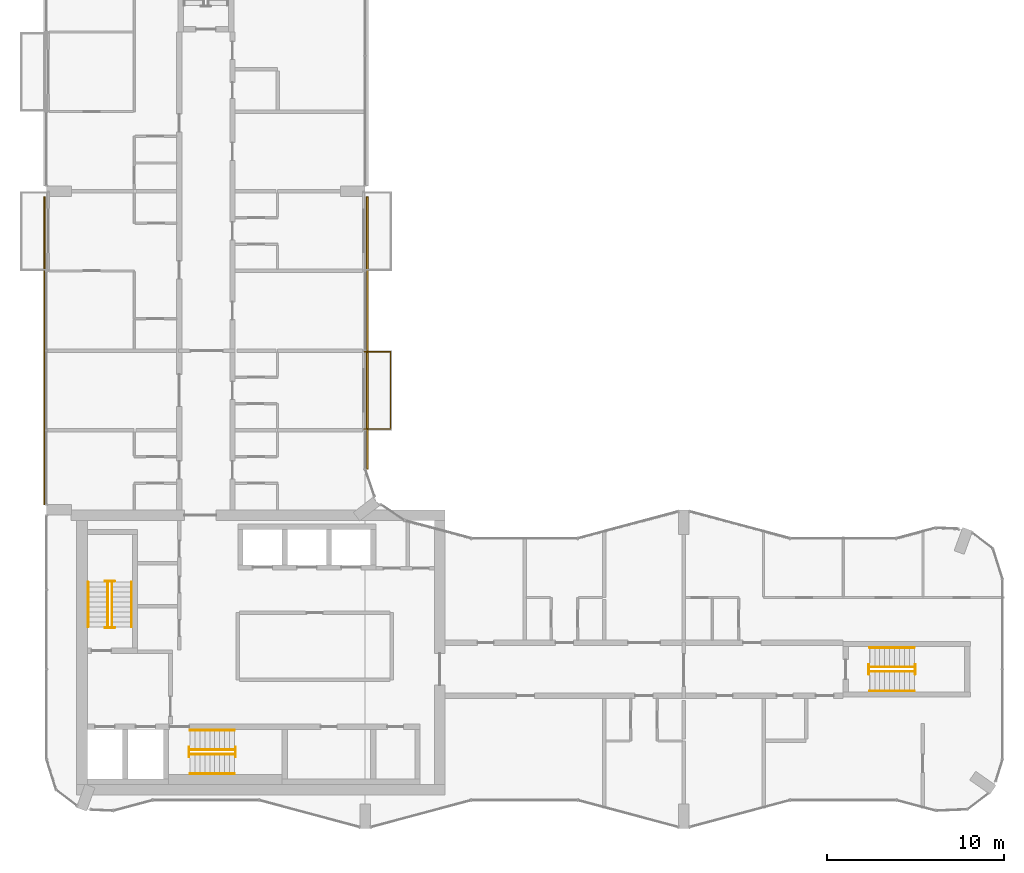
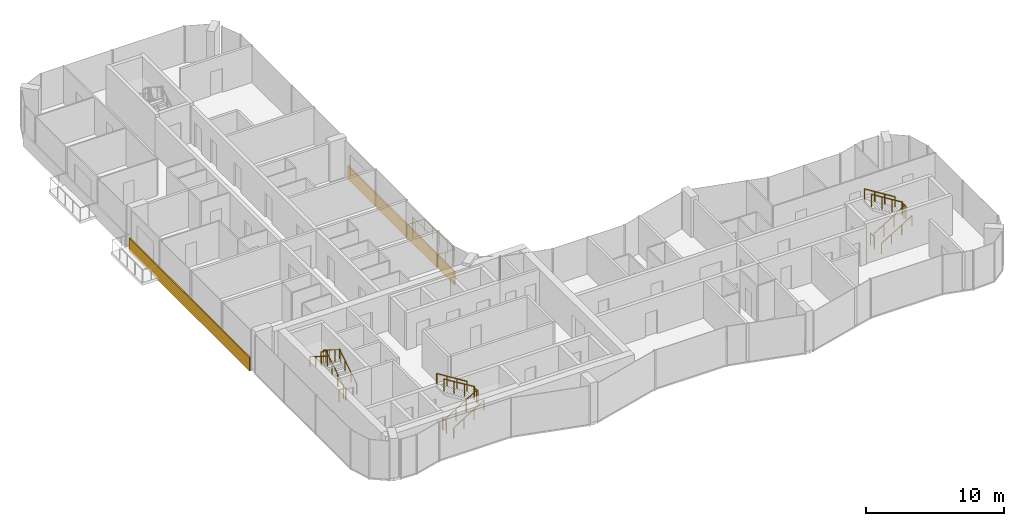
# One storey, part 14 of 15: 19 railings, 2 coverings.
"""IFC4 building model written with IfcOpenShell, lengths in metres."""

from ifc_helpers import new_model, si_unit, direction, frame, origin, origin_2d, place, context, subcontext, project, spatial, rectangle, circle, extrude, material, layer, layer_set, type_object, element, save


model = new_model("IFC4")

# Units and contexts
model_context = context("Model", 3, precision=1e-05, world=origin(), true_north=direction((0.0, 1.0)))
body_context = subcontext(model_context, "Body", "Model", "MODEL_VIEW")
ifc_project = project(units=[si_unit("LENGTHUNIT", "METRE"), si_unit("AREAUNIT", "SQUARE_METRE"), si_unit("VOLUMEUNIT", "CUBIC_METRE"), si_unit("PLANEANGLEUNIT", "RADIAN"), si_unit("MASSUNIT", "GRAM", prefix="KILO")], contexts=[model_context])

# Site, building, storey
site_placement = place(None, origin())
site = spatial("IfcSite", under=ifc_project, at=site_placement, CompositionType="ELEMENT")
building_placement = place(site_placement, origin())
building = spatial("IfcBuilding", under=site, at=building_placement, Name="Plateau Cross Towers", CompositionType="ELEMENT")
storey_placement = place(building_placement, frame((0.0, 0.0, 170.89990234375)))
storey = spatial("IfcBuildingStorey", under=building, at=storey_placement, Name="L44", CompositionType="ELEMENT", Elevation=170.89990234375)

# Railings
ifc_material_1 = material(Name="Stainless steel and toughened glass", Category="steel")
railing_type_1 = type_object("IfcRailingType", Name="Glass balustrade guard 1100", PredefinedType="GUARDRAIL", material=ifc_material_1)
railing_1_placement = place(storey_placement, frame((17.949951171875, 26.929931640625, 0.0)))
element("IfcRailing", 1, at=railing_1_placement, inside=storey, type_object=railing_type_1, Name="Guard guard1", PredefinedType="GUARDRAIL", context=body_context, shape_type="SweptSolid", body=[
    extrude(circle(Radius=0.02392578125, at=origin_2d()), frame((0.0, 0.0, 1.076171875), z_axis=(1.0, 0.0, 0.0), x_axis=(0.0, 1.0, 0.0)), (0.0, 0.0, 1.0), 1.47998046875),
    extrude(circle(Radius=0.02392578125, at=origin_2d()), frame((1.47998046875, 0.0, 1.076171875), z_axis=(0.0, -1.0, 0.0), x_axis=(1.0, 0.0, 0.0)), (0.0, 0.0, 1.0), 4.35986328125),
    extrude(circle(Radius=0.02392578125, at=origin_2d()), frame((1.47998046875, -4.35986328125, 1.076171875), z_axis=(-1.0, 0.0, 0.0), x_axis=(0.0, -1.0, 0.0)), (0.0, 0.0, 1.0), 1.47998046875),
    extrude(circle(Radius=0.02099609375, at=origin_2d()), origin(), (0.0, 0.0, 1.0), 1.052001953125),
    extrude(circle(Radius=0.02099609375, at=origin_2d()), frame((0.739990234375, 0.0, 0.0)), (0.0, 0.0, 1.0), 1.052001953125),
    extrude(circle(Radius=0.02099609375, at=origin_2d()), frame((1.47998046875, 0.0, 0.0)), (0.0, 0.0, 1.0), 1.052001953125),
    extrude(circle(Radius=0.02099609375, at=origin_2d()), frame((1.47998046875, -1.08984375, 0.0)), (0.0, 0.0, 1.0), 1.052001953125),
    extrude(circle(Radius=0.02099609375, at=origin_2d()), frame((1.47998046875, -2.179931640625, 0.0)), (0.0, 0.0, 1.0), 1.052001953125),
    extrude(circle(Radius=0.02099609375, at=origin_2d()), frame((1.47998046875, -3.27001953125, 0.0)), (0.0, 0.0, 1.0), 1.052001953125),
    extrude(circle(Radius=0.02099609375, at=origin_2d()), frame((1.47998046875, -4.35986328125, 0.0)), (0.0, 0.0, 1.0), 1.052001953125),
    extrude(circle(Radius=0.02099609375, at=origin_2d()), frame((0.739990234375, -4.35986328125, 0.0)), (0.0, 0.0, 1.0), 1.052001953125),
    extrude(circle(Radius=0.02099609375, at=origin_2d()), frame((0.0, -4.35986328125, 0.0)), (0.0, 0.0, 1.0), 1.052001953125),
])
railing_type_2 = type_object("IfcRailingType", Name="RL-GUARD-1100", PredefinedType="GUARDRAIL", material=ifc_material_1)
railing_2_placement = place(storey_placement, frame((3.699951171875, 11.39990234375, 0.175048828125)))
element("IfcRailing", 2, at=railing_2_placement, inside=storey, type_object=railing_type_2, Name="L44 ST-1 stair guard 1", PredefinedType="GUARDRAIL", context=body_context, shape_type="SweptSolid", body=[
    extrude(circle(Radius=0.02392578125, at=origin_2d()), frame((0.0, 0.0, 1.076171875), z_axis=(0.0, 0.848007534815, 0.529984170421), x_axis=(-1.0, 0.0, 0.0)), (0.0, 0.0, 1.0), 2.9716796875),
    extrude(circle(Radius=0.02099609375, at=origin_2d()), origin(), (0.0, 0.0, 1.0), 1.052001953125),
    extrude(circle(Radius=0.02099609375, at=origin_2d()), frame((0.0, 0.840087890625, 0.52490234375)), (0.0, 0.0, 1.0), 1.052001953125),
    extrude(circle(Radius=0.02099609375, at=origin_2d()), frame((0.0, 1.679931640625, 1.050048828125)), (0.0, 0.0, 1.0), 1.052001953125),
    extrude(circle(Radius=0.02099609375, at=origin_2d()), frame((0.0, 2.52001953125, 1.574951171875)), (0.0, 0.0, 1.0), 1.052001953125),
])
railing_3_placement = place(storey_placement, frame((3.85009765625, 13.969970703125, 1.75)))
element("IfcRailing", 3, at=railing_3_placement, inside=storey, type_object=railing_type_2, Name="L44 ST-1 stair guard 2", PredefinedType="GUARDRAIL", context=body_context, shape_type="SweptSolid", body=[
    extrude(circle(Radius=0.02392578125, at=origin_2d()), frame((0.0, 0.0, 1.076171875), z_axis=(-1.0, 0.0, 0.0), x_axis=(0.0, -1.0, 0.0)), (0.0, 0.0, 1.0), 0.550048828125),
    extrude(circle(Radius=0.02099609375, at=origin_2d()), origin(), (0.0, 0.0, 1.0), 1.052001953125),
    extrude(circle(Radius=0.02099609375, at=origin_2d()), frame((-0.550048828125, 0.0, 0.0)), (0.0, 0.0, 1.0), 1.052001953125),
])
railing_4_placement = place(storey_placement, frame((3.449951171875, 13.919921875, 1.925048828125)))
element("IfcRailing", 4, at=railing_4_placement, inside=storey, type_object=railing_type_2, Name="L44 ST-1 stair guard 3", PredefinedType="GUARDRAIL", context=body_context, shape_type="SweptSolid", body=[
    extrude(circle(Radius=0.02392578125, at=origin_2d()), frame((0.0, 0.0, 1.076171875), z_axis=(0.0, -0.852616386126, 0.522537365276), x_axis=(1.0, 0.0, 0.0)), (0.0, 0.0, 1.0), 3.01416015625),
    extrude(circle(Radius=0.02099609375, at=origin_2d()), origin(), (0.0, 0.0, 1.0), 1.052001953125),
    extrude(circle(Radius=0.02099609375, at=origin_2d()), frame((0.0, -0.856689453125, 0.52490234375)), (0.0, 0.0, 1.0), 1.052001953125),
    extrude(circle(Radius=0.02099609375, at=origin_2d()), frame((0.0, -1.713134765625, 1.050048828125)), (0.0, 0.0, 1.0), 1.052001953125),
    extrude(circle(Radius=0.02099609375, at=origin_2d()), frame((0.0, -2.56982421875, 1.574951171875)), (0.0, 0.0, 1.0), 1.052001953125),
])
railing_5_placement = place(storey_placement, frame((3.85009765625, 11.35009765625, 0.0)))
element("IfcRailing", 5, at=railing_5_placement, inside=storey, type_object=railing_type_2, Name="L44 ST-1 stair guard 4", PredefinedType="GUARDRAIL", context=body_context, shape_type="SweptSolid", body=[
    extrude(circle(Radius=0.02392578125, at=origin_2d()), frame((0.0, 0.0, 1.076171875), z_axis=(-1.0, 0.0, 0.0), x_axis=(0.0, -1.0, 0.0)), (0.0, 0.0, 1.0), 0.550048828125),
    extrude(circle(Radius=0.02099609375, at=origin_2d()), origin(), (0.0, 0.0, 1.0), 1.052001953125),
    extrude(circle(Radius=0.02099609375, at=origin_2d()), frame((-0.550048828125, 0.0, 0.0)), (0.0, 0.0, 1.0), 1.052001953125),
])
railing_6_placement = place(storey_placement, frame((8.10009765625, 4.199951171875, 0.175048828125)))
element("IfcRailing", 6, at=railing_6_placement, inside=storey, type_object=railing_type_2, Name="L44 ST-2 stair guard 1", PredefinedType="GUARDRAIL", context=body_context, shape_type="SweptSolid", body=[
    extrude(circle(Radius=0.02392578125, at=origin_2d()), frame((0.0, 0.0, 1.076171875), z_axis=(0.848007534815, 0.0, 0.529984170421), x_axis=(0.0, 1.0, 0.0)), (0.0, 0.0, 1.0), 2.9716796875),
    extrude(circle(Radius=0.02099609375, at=origin_2d()), origin(), (0.0, 0.0, 1.0), 1.052001953125),
    extrude(circle(Radius=0.02099609375, at=origin_2d()), frame((0.840087890625, 0.0, 0.52490234375)), (0.0, 0.0, 1.0), 1.052001953125),
    extrude(circle(Radius=0.02099609375, at=origin_2d()), frame((1.679931640625, 0.0, 1.050048828125)), (0.0, 0.0, 1.0), 1.052001953125),
    extrude(circle(Radius=0.02099609375, at=origin_2d()), frame((2.52001953125, 0.0, 1.574951171875)), (0.0, 0.0, 1.0), 1.052001953125),
])
railing_7_placement = place(storey_placement, frame((10.669921875, 4.050048828125, 1.75)))
element("IfcRailing", 7, at=railing_7_placement, inside=storey, type_object=railing_type_2, Name="L44 ST-2 stair guard 2", PredefinedType="GUARDRAIL", context=body_context, shape_type="SweptSolid", body=[
    extrude(circle(Radius=0.02392578125, at=origin_2d()), frame((0.0, 0.0, 1.076171875), z_axis=(0.0, 1.0, 0.0), x_axis=(-1.0, 0.0, 0.0)), (0.0, 0.0, 1.0), 0.550048828125),
    extrude(circle(Radius=0.02099609375, at=origin_2d()), origin(), (0.0, 0.0, 1.0), 1.052001953125),
    extrude(circle(Radius=0.02099609375, at=origin_2d()), frame((0.0, 0.550048828125, 0.0)), (0.0, 0.0, 1.0), 1.052001953125),
])
railing_8_placement = place(storey_placement, frame((10.6201171875, 4.449951171875, 1.925048828125)))
element("IfcRailing", 8, at=railing_8_placement, inside=storey, type_object=railing_type_2, Name="L44 ST-2 stair guard 3", PredefinedType="GUARDRAIL", context=body_context, shape_type="SweptSolid", body=[
    extrude(circle(Radius=0.02392578125, at=origin_2d()), frame((0.0, 0.0, 1.076171875), z_axis=(-0.852638500773, 0.0, 0.522501279423), x_axis=(0.0, -1.0, 0.0)), (0.0, 0.0, 1.0), 3.01416015625),
    extrude(circle(Radius=0.02099609375, at=origin_2d()), origin(), (0.0, 0.0, 1.0), 1.052001953125),
    extrude(circle(Radius=0.02099609375, at=origin_2d()), frame((-0.856689453125, 0.0, 0.52490234375)), (0.0, 0.0, 1.0), 1.052001953125),
    extrude(circle(Radius=0.02099609375, at=origin_2d()), frame((-1.71337890625, 0.0, 1.050048828125)), (0.0, 0.0, 1.0), 1.052001953125),
    extrude(circle(Radius=0.02099609375, at=origin_2d()), frame((-2.570068359375, 0.0, 1.574951171875)), (0.0, 0.0, 1.0), 1.052001953125),
])
railing_9_placement = place(storey_placement, frame((8.050048828125, 4.050048828125, 0.0)))
element("IfcRailing", 9, at=railing_9_placement, inside=storey, type_object=railing_type_2, Name="L44 ST-2 stair guard 4", PredefinedType="GUARDRAIL", context=body_context, shape_type="SweptSolid", body=[
    extrude(circle(Radius=0.02392578125, at=origin_2d()), frame((0.0, 0.0, 1.076171875), z_axis=(0.0, 1.0, 0.0), x_axis=(-1.0, 0.0, 0.0)), (0.0, 0.0, 1.0), 0.550048828125),
    extrude(circle(Radius=0.02099609375, at=origin_2d()), origin(), (0.0, 0.0, 1.0), 1.052001953125),
    extrude(circle(Radius=0.02099609375, at=origin_2d()), frame((0.0, 0.550048828125, 0.0)), (0.0, 0.0, 1.0), 1.052001953125),
])
railing_10_placement = place(storey_placement, frame((46.5, 8.875, 0.175048828125)))
element("IfcRailing", 10, at=railing_10_placement, inside=storey, type_object=railing_type_2, Name="L44 ES-E stair guard 1", PredefinedType="GUARDRAIL", context=body_context, shape_type="SweptSolid", body=[
    extrude(circle(Radius=0.02392578125, at=origin_2d()), frame((0.0, 0.0, 1.076171875), z_axis=(0.848007534815, 0.0, 0.529984170421), x_axis=(0.0, 1.0, 0.0)), (0.0, 0.0, 1.0), 2.9716796875),
    extrude(circle(Radius=0.02099609375, at=origin_2d()), origin(), (0.0, 0.0, 1.0), 1.052001953125),
    extrude(circle(Radius=0.02099609375, at=origin_2d()), frame((0.840087890625, 0.0, 0.52490234375)), (0.0, 0.0, 1.0), 1.052001953125),
    extrude(circle(Radius=0.02099609375, at=origin_2d()), frame((1.679931640625, 0.0, 1.050048828125)), (0.0, 0.0, 1.0), 1.052001953125),
    extrude(circle(Radius=0.02099609375, at=origin_2d()), frame((2.52001953125, 0.0, 1.574951171875)), (0.0, 0.0, 1.0), 1.052001953125),
])
railing_11_placement = place(storey_placement, frame((49.070068359375, 8.72509765625, 1.75)))
element("IfcRailing", 11, at=railing_11_placement, inside=storey, type_object=railing_type_2, Name="L44 ES-E stair guard 2", PredefinedType="GUARDRAIL", context=body_context, shape_type="SweptSolid", body=[
    extrude(circle(Radius=0.02392578125, at=origin_2d()), frame((0.0, 0.0, 1.076171875), z_axis=(0.0, 1.0, 0.0), x_axis=(-1.0, 0.0, 0.0)), (0.0, 0.0, 1.0), 0.5498046875),
    extrude(circle(Radius=0.02099609375, at=origin_2d()), origin(), (0.0, 0.0, 1.0), 1.052001953125),
    extrude(circle(Radius=0.02099609375, at=origin_2d()), frame((0.0, 0.5498046875, 0.0)), (0.0, 0.0, 1.0), 1.052001953125),
])
railing_12_placement = place(storey_placement, frame((49.02001953125, 9.125, 1.925048828125)))
element("IfcRailing", 12, at=railing_12_placement, inside=storey, type_object=railing_type_2, Name="L44 ES-E stair guard 3", PredefinedType="GUARDRAIL", context=body_context, shape_type="SweptSolid", body=[
    extrude(circle(Radius=0.02392578125, at=origin_2d()), frame((0.0, 0.0, 1.076171875), z_axis=(-0.852638500773, 0.0, 0.522501279423), x_axis=(0.0, -1.0, 0.0)), (0.0, 0.0, 1.0), 3.01416015625),
    extrude(circle(Radius=0.02099609375, at=origin_2d()), origin(), (0.0, 0.0, 1.0), 1.052001953125),
    extrude(circle(Radius=0.02099609375, at=origin_2d()), frame((-0.856689453125, 0.0, 0.52490234375)), (0.0, 0.0, 1.0), 1.052001953125),
    extrude(circle(Radius=0.02099609375, at=origin_2d()), frame((-1.71337890625, 0.0, 1.050048828125)), (0.0, 0.0, 1.0), 1.052001953125),
    extrude(circle(Radius=0.02099609375, at=origin_2d()), frame((-2.570068359375, 0.0, 1.574951171875)), (0.0, 0.0, 1.0), 1.052001953125),
])
railing_13_placement = place(storey_placement, frame((46.449951171875, 8.72509765625, 0.0)))
element("IfcRailing", 13, at=railing_13_placement, inside=storey, type_object=railing_type_2, Name="L44 ES-E stair guard 4", PredefinedType="GUARDRAIL", context=body_context, shape_type="SweptSolid", body=[
    extrude(circle(Radius=0.02392578125, at=origin_2d()), frame((0.0, 0.0, 1.076171875), z_axis=(0.0, 1.0, 0.0), x_axis=(-1.0, 0.0, 0.0)), (0.0, 0.0, 1.0), 0.5498046875),
    extrude(circle(Radius=0.02099609375, at=origin_2d()), origin(), (0.0, 0.0, 1.0), 1.052001953125),
    extrude(circle(Radius=0.02099609375, at=origin_2d()), frame((0.0, 0.5498046875, 0.0)), (0.0, 0.0, 1.0), 1.052001953125),
])
ifc_material_2 = material(Name="Black anodised aluminium", Category="aluminium")
railing_type_3 = type_object("IfcRailingType", Name="RL-HANDRAIL-900", PredefinedType="HANDRAIL", material=ifc_material_2)
railing_14_placement = place(storey_placement, frame((4.800048828125, 11.39990234375, 0.175048828125)))
element("IfcRailing", 14, at=railing_14_placement, inside=storey, type_object=railing_type_3, Name="L44 ST-1 stair handrail 1", PredefinedType="HANDRAIL", context=body_context, shape_type="SweptSolid", body=[
    extrude(circle(Radius=0.02392578125, at=origin_2d()), frame((0.0, 0.0, 0.8759765625), z_axis=(0.0, 0.848007534815, 0.529984170421), x_axis=(-1.0, 0.0, 0.0)), (0.0, 0.0, 1.0), 2.9716796875),
    extrude(circle(Radius=0.02099609375, at=origin_2d()), origin(), (0.0, 0.0, 1.0), 0.851806640625),
    extrude(circle(Radius=0.02099609375, at=origin_2d()), frame((0.0, 0.840087890625, 0.52490234375)), (0.0, 0.0, 1.0), 0.851806640625),
    extrude(circle(Radius=0.02099609375, at=origin_2d()), frame((0.0, 1.679931640625, 1.050048828125)), (0.0, 0.0, 1.0), 0.851806640625),
    extrude(circle(Radius=0.02099609375, at=origin_2d()), frame((0.0, 2.52001953125, 1.574951171875)), (0.0, 0.0, 1.0), 0.851806640625),
])
railing_15_placement = place(storey_placement, frame((2.35009765625, 13.919921875, 1.925048828125)))
element("IfcRailing", 15, at=railing_15_placement, inside=storey, type_object=railing_type_3, Name="L44 ST-1 stair handrail 2", PredefinedType="HANDRAIL", context=body_context, shape_type="SweptSolid", body=[
    extrude(circle(Radius=0.02392578125, at=origin_2d()), frame((0.0, 0.0, 0.8759765625), z_axis=(0.0, -0.848007534815, 0.529984170421), x_axis=(1.0, 0.0, 0.0)), (0.0, 0.0, 1.0), 2.9716796875),
    extrude(circle(Radius=0.02099609375, at=origin_2d()), origin(), (0.0, 0.0, 1.0), 0.851806640625),
    extrude(circle(Radius=0.02099609375, at=origin_2d()), frame((0.0, -0.840087890625, 0.52490234375)), (0.0, 0.0, 1.0), 0.851806640625),
    extrude(circle(Radius=0.02099609375, at=origin_2d()), frame((0.0, -1.679931640625, 1.050048828125)), (0.0, 0.0, 1.0), 0.851806640625),
    extrude(circle(Radius=0.02099609375, at=origin_2d()), frame((0.0, -2.52001953125, 1.574951171875)), (0.0, 0.0, 1.0), 0.851806640625),
])
railing_16_placement = place(storey_placement, frame((8.10009765625, 3.10009765625, 0.175048828125)))
element("IfcRailing", 16, at=railing_16_placement, inside=storey, type_object=railing_type_3, Name="L44 ST-2 stair handrail 1", PredefinedType="HANDRAIL", context=body_context, shape_type="SweptSolid", body=[
    extrude(circle(Radius=0.02392578125, at=origin_2d()), frame((0.0, 0.0, 0.8759765625), z_axis=(0.848007534815, 0.0, 0.529984170421), x_axis=(0.0, 1.0, 0.0)), (0.0, 0.0, 1.0), 2.9716796875),
    extrude(circle(Radius=0.02099609375, at=origin_2d()), origin(), (0.0, 0.0, 1.0), 0.851806640625),
    extrude(circle(Radius=0.02099609375, at=origin_2d()), frame((0.840087890625, 0.0, 0.52490234375)), (0.0, 0.0, 1.0), 0.851806640625),
    extrude(circle(Radius=0.02099609375, at=origin_2d()), frame((1.679931640625, 0.0, 1.050048828125)), (0.0, 0.0, 1.0), 0.851806640625),
    extrude(circle(Radius=0.02099609375, at=origin_2d()), frame((2.52001953125, 0.0, 1.574951171875)), (0.0, 0.0, 1.0), 0.851806640625),
])
railing_17_placement = place(storey_placement, frame((10.6201171875, 5.550048828125, 1.925048828125)))
element("IfcRailing", 17, at=railing_17_placement, inside=storey, type_object=railing_type_3, Name="L44 ST-2 stair handrail 2", PredefinedType="HANDRAIL", context=body_context, shape_type="SweptSolid", body=[
    extrude(circle(Radius=0.02392578125, at=origin_2d()), frame((0.0, 0.0, 0.8759765625), z_axis=(-0.848007534815, 0.0, 0.529984170421), x_axis=(0.0, -1.0, 0.0)), (0.0, 0.0, 1.0), 2.9716796875),
    extrude(circle(Radius=0.02099609375, at=origin_2d()), origin(), (0.0, 0.0, 1.0), 0.851806640625),
    extrude(circle(Radius=0.02099609375, at=origin_2d()), frame((-0.840087890625, 0.0, 0.52490234375)), (0.0, 0.0, 1.0), 0.851806640625),
    extrude(circle(Radius=0.02099609375, at=origin_2d()), frame((-1.679931640625, 0.0, 1.050048828125)), (0.0, 0.0, 1.0), 0.851806640625),
    extrude(circle(Radius=0.02099609375, at=origin_2d()), frame((-2.52001953125, 0.0, 1.574951171875)), (0.0, 0.0, 1.0), 0.851806640625),
])
railing_18_placement = place(storey_placement, frame((46.5, 7.77490234375, 0.175048828125)))
element("IfcRailing", 18, at=railing_18_placement, inside=storey, type_object=railing_type_3, Name="L44 ES-E stair handrail 1", PredefinedType="HANDRAIL", context=body_context, shape_type="SweptSolid", body=[
    extrude(circle(Radius=0.02392578125, at=origin_2d()), frame((0.0, 0.0, 0.8759765625), z_axis=(0.848007534815, 0.0, 0.529984170421), x_axis=(0.0, 1.0, 0.0)), (0.0, 0.0, 1.0), 2.9716796875),
    extrude(circle(Radius=0.02099609375, at=origin_2d()), origin(), (0.0, 0.0, 1.0), 0.851806640625),
    extrude(circle(Radius=0.02099609375, at=origin_2d()), frame((0.840087890625, 0.0, 0.52490234375)), (0.0, 0.0, 1.0), 0.851806640625),
    extrude(circle(Radius=0.02099609375, at=origin_2d()), frame((1.679931640625, 0.0, 1.050048828125)), (0.0, 0.0, 1.0), 0.851806640625),
    extrude(circle(Radius=0.02099609375, at=origin_2d()), frame((2.52001953125, 0.0, 1.574951171875)), (0.0, 0.0, 1.0), 0.851806640625),
])
railing_19_placement = place(storey_placement, frame((49.02001953125, 10.22509765625, 1.925048828125)))
element("IfcRailing", 19, at=railing_19_placement, inside=storey, type_object=railing_type_3, Name="L44 ES-E stair handrail 2", PredefinedType="HANDRAIL", context=body_context, shape_type="SweptSolid", body=[
    extrude(circle(Radius=0.02392578125, at=origin_2d()), frame((0.0, 0.0, 0.8759765625), z_axis=(-0.848007534815, 0.0, 0.529984170421), x_axis=(0.0, -1.0, 0.0)), (0.0, 0.0, 1.0), 2.9716796875),
    extrude(circle(Radius=0.02099609375, at=origin_2d()), origin(), (0.0, 0.0, 1.0), 0.851806640625),
    extrude(circle(Radius=0.02099609375, at=origin_2d()), frame((-0.840087890625, 0.0, 0.52490234375)), (0.0, 0.0, 1.0), 0.851806640625),
    extrude(circle(Radius=0.02099609375, at=origin_2d()), frame((-1.679931640625, 0.0, 1.050048828125)), (0.0, 0.0, 1.0), 0.851806640625),
    extrude(circle(Radius=0.02099609375, at=origin_2d()), frame((-2.52001953125, 0.0, 1.574951171875)), (0.0, 0.0, 1.0), 0.851806640625),
])

# Coverings
ifc_material_3 = material(Name="Precast concrete cladding C40/50", Category="concrete")
ifc_layer = layer(ifc_material_3, 0.10009765625)
ifc_layer_set = layer_set([ifc_layer], Name="Precast concrete cladding C40/50")
covering_type = type_object("IfcCoveringType", Name="Spandrel band cladding 100x1200", PredefinedType="CLADDING", material=ifc_layer_set)
covering_1_placement = place(storey_placement, frame((18.1201171875, 28.001220703125, -0.25), z_axis=(0.0, 0.0, 1.0), x_axis=(0.0, 1.0, 0.0)))
element("IfcCovering", 20, at=covering_1_placement, inside=storey, type_object=covering_type, Name="Spandrel band", PredefinedType="CLADDING", context=body_context, shape_type="SweptSolid", body=[
    extrude(rectangle(XDim=15.397705078125, YDim=0.10009765625, at=origin_2d()), origin(), (0.0, 0.0, 1.0), 1.199951171875),
])
covering_2_placement = place(storey_placement, frame((-0.1201171875, 27.0, -0.25), z_axis=(0.0, 0.0, 1.0), x_axis=(0.0, -1.0, 0.0)))
element("IfcCovering", 21, at=covering_2_placement, inside=storey, type_object=covering_type, Name="Spandrel band", PredefinedType="CLADDING", context=body_context, shape_type="SweptSolid", body=[
    extrude(rectangle(XDim=17.39990234375, YDim=0.10009765625, at=origin_2d()), origin(), (0.0, 0.0, 1.0), 1.199951171875),
])

save(model, "model.ifc")
